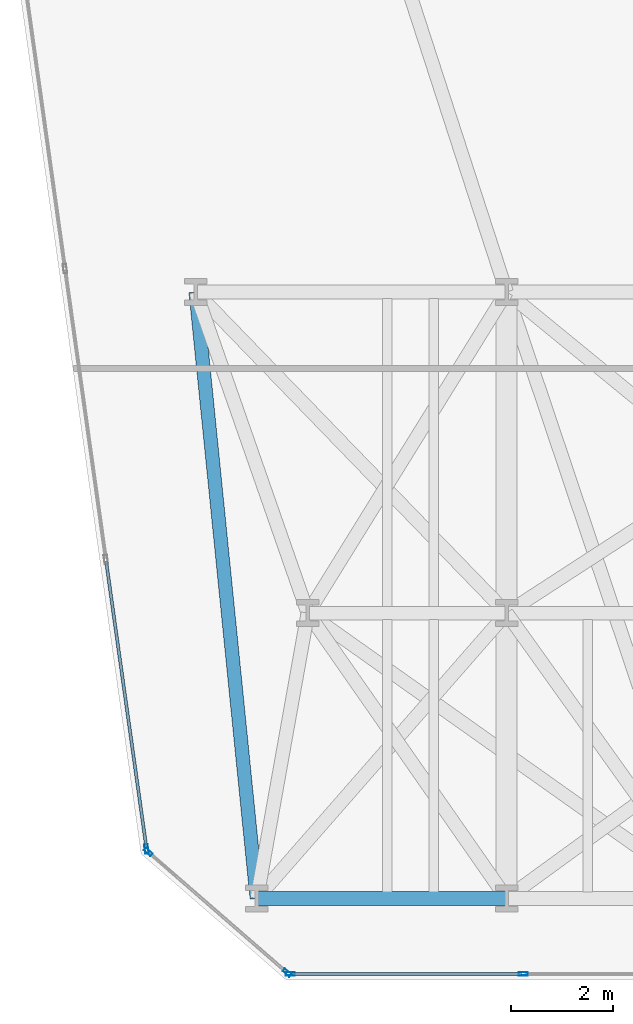
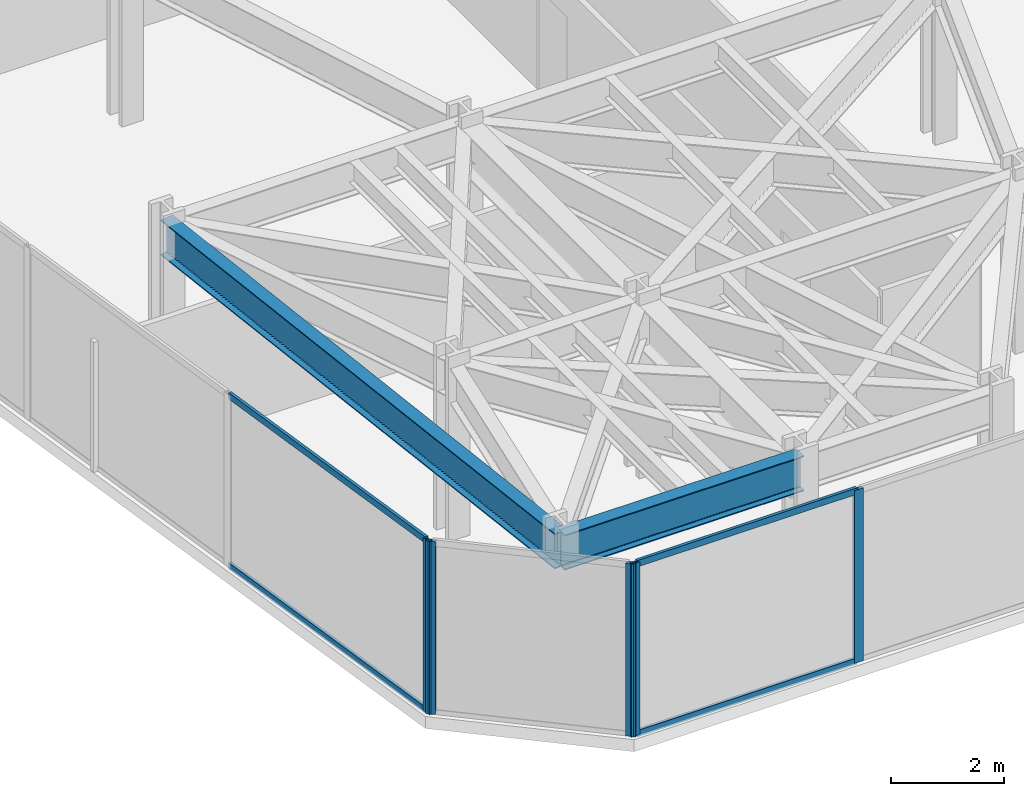
# One storey, part 2 of 25: 9 members, 2 beams, 3 elements without a shape of their own.
"""IFC4 building model written with IfcOpenShell, lengths in metres."""

from ifc_helpers import new_model, si_unit, direction, frame, origin, origin_2d, place, context, subcontext, project, spatial, hollow_rectangle, i_section, extrude, material, layer, layer_set, material_profile, profile_set, type_object, element, aggregate, save


model = new_model("IFC4")

# Units and contexts
model_context = context("Model", 3, precision=1e-05, world=origin(), true_north=direction((0.0, 1.0)))
body_context = subcontext(model_context, "Body", "Model", "MODEL_VIEW")
ifc_project = project(units=[si_unit("LENGTHUNIT", "METRE"), si_unit("AREAUNIT", "SQUARE_METRE"), si_unit("VOLUMEUNIT", "CUBIC_METRE"), si_unit("PLANEANGLEUNIT", "RADIAN"), si_unit("MASSUNIT", "GRAM", prefix="KILO")], contexts=[model_context])

# Site, building, storey
site_placement = place(None, origin())
site = spatial("IfcSite", under=ifc_project, at=site_placement, CompositionType="ELEMENT")
building_placement = place(site_placement, origin())
building = spatial("IfcBuilding", under=site, at=building_placement, Name="Kravanh Interchange Tower", CompositionType="ELEMENT")
storey_placement = place(building_placement, frame((0.0, 0.0, 41.5)))
storey = spatial("IfcBuildingStorey", under=building, at=storey_placement, Name="L09", CompositionType="ELEMENT", Elevation=41.5)

# Curtain wall, member
ifc_material_1 = material(Name="Anodised Bronze Aluminium", Category="aluminium")
ifc_layer = layer(ifc_material_1, 0.179931640625)
ifc_layer_set = layer_set([ifc_layer], Name="Unitised Curtain Wall System CW-Z1 Lower Office")
curtain_wall_type = type_object("IfcCurtainWallType", Name="Unitised Curtain Wall System CW-Z1 Lower Office", PredefinedType="NOTDEFINED", material=ifc_layer_set)
curtain_wall_1_placement = place(storey_placement, origin())
curtain_wall_1 = element("IfcCurtainWall", 1, at=curtain_wall_1_placement, inside=storey, type_object=curtain_wall_type, Name="L09 Unitised Curtain Wall CW-L09-01", PredefinedType="NOTDEFINED")
ifc_material_2 = material(Name="Anodised Bronze Aluminium", Category="aluminium")
ifc_material_profile_1 = material_profile(ifc_material_2, hollow_rectangle(XDim=0.070068359375, YDim=0.179931640625, WallThickness=0.00390625, at=origin_2d()), Name="ALU70X180X4")
ifc_profile_set_1 = profile_set([ifc_material_profile_1], Name="Anodised Bronze Aluminium")
member_type_1 = type_object("IfcMemberType", Name="Curtain Wall Mullion ALU70X180X4 Bronze", PredefinedType="MULLION", material=ifc_profile_set_1)
member_1_placement = place(storey_placement, frame((10.435546875, 3.571533203125, 0.0), z_axis=(0.0, 0.0, 1.0), x_axis=(-0.990267585682, -0.139176538065, 0.0)))
member_1 = element("IfcMember", 2, at=member_1_placement, type_object=member_type_1, Name="CW-Z1 mullion 1", PredefinedType="MULLION", context=body_context, shape_type="SweptSolid", body=[
    extrude(hollow_rectangle(XDim=0.070068359375, YDim=0.179931640625, WallThickness=0.00390625, at=origin_2d()), origin(), (0.0, 0.0, 1.0), 3.739990234375),
])

# Curtain wall, members
curtain_wall_2_placement = place(storey_placement, origin())
curtain_wall_2 = element("IfcCurtainWall", 3, at=curtain_wall_2_placement, inside=storey, type_object=curtain_wall_type, Name="L09 Unitised Curtain Wall CW-L09-06", PredefinedType="NOTDEFINED")
member_2_placement = place(storey_placement, frame((17.8271484375, 1.1201171875, 0.0), z_axis=(0.0, 0.0, 1.0), x_axis=(0.0, -1.0, 0.0)))
member_2 = element("IfcMember", 4, at=member_2_placement, type_object=member_type_1, Name="CW-Z1 mullion 2", PredefinedType="MULLION", context=body_context, shape_type="SweptSolid", body=[
    extrude(hollow_rectangle(XDim=0.070068359375, YDim=0.179931640625, WallThickness=0.00390625, at=origin_2d()), origin(), (0.0, 0.0, 1.0), 3.739990234375),
])
member_3_placement = place(storey_placement, frame((13.255615234375, 1.1201171875, 0.0), z_axis=(0.0, 0.0, 1.0), x_axis=(0.0, -1.0, 0.0)))
member_3 = element("IfcMember", 5, at=member_3_placement, type_object=member_type_1, Name="CW-Z1 mullion 3", PredefinedType="MULLION", context=body_context, shape_type="SweptSolid", body=[
    extrude(hollow_rectangle(XDim=0.070068359375, YDim=0.179931640625, WallThickness=0.00390625, at=origin_2d()), origin(), (0.0, 0.0, 1.0), 3.739990234375),
])

curtain_wall_3_placement = place(storey_placement, origin())
curtain_wall_3 = element("IfcCurtainWall", 6, at=curtain_wall_3_placement, inside=storey, type_object=curtain_wall_type, Name="L09 Unitised Curtain Wall CW-L09-07", PredefinedType="NOTDEFINED")
member_4_placement = place(storey_placement, frame((13.194091796875, 1.14306640625, 0.0), z_axis=(0.0, 0.0, 1.0), x_axis=(-0.656060422341, -0.754708368999, 0.0)))
member_4 = element("IfcMember", 7, at=member_4_placement, type_object=member_type_1, Name="CW-Z1 mullion 1", PredefinedType="MULLION", context=body_context, shape_type="SweptSolid", body=[
    extrude(hollow_rectangle(XDim=0.070068359375, YDim=0.179931640625, WallThickness=0.00390625, at=origin_2d()), origin(), (0.0, 0.0, 1.0), 3.739990234375),
])
member_5_placement = place(storey_placement, frame((10.466796875, 3.513916015625, 0.0), z_axis=(0.0, 0.0, 1.0), x_axis=(-0.656060422341, -0.754708368999, 0.0)))
member_5 = element("IfcMember", 8, at=member_5_placement, type_object=member_type_1, Name="CW-Z1 mullion 2", PredefinedType="MULLION", context=body_context, shape_type="SweptSolid", body=[
    extrude(hollow_rectangle(XDim=0.070068359375, YDim=0.179931640625, WallThickness=0.00390625, at=origin_2d()), origin(), (0.0, 0.0, 1.0), 3.739990234375),
])
aggregate(curtain_wall_3, [member_4, member_5])

# Member
ifc_material_3 = material(Name="Anodised Bronze Aluminium", Category="aluminium")
ifc_material_profile_2 = material_profile(ifc_material_3, hollow_rectangle(XDim=0.06005859375, YDim=0.139892578125, WallThickness=0.00390625, at=origin_2d()), Name="ALU60X140X4")
ifc_profile_set_2 = profile_set([ifc_material_profile_2], Name="Anodised Bronze Aluminium")
member_type_2 = type_object("IfcMemberType", Name="Curtain Wall Transom ALU60X140X4 Bronze", PredefinedType="USERDEFINED", material=ifc_profile_set_2)
member_6_placement = place(storey_placement, frame((10.4306640625, 3.606201171875, 0.030029296875), z_axis=(-0.139199330487, 0.990264382068, 0.0), x_axis=(-0.990264382068, -0.139199330487, 0.0)))
member_6 = element("IfcMember", 9, at=member_6_placement, type_object=member_type_2, Name="CW-Z1 transom 1.1", ObjectType="TRANSOM", PredefinedType="USERDEFINED", context=body_context, shape_type="SweptSolid", body=[
    extrude(hollow_rectangle(XDim=0.06005859375, YDim=0.139892578125, WallThickness=0.00390625, at=origin_2d()), origin(), (0.0, 0.0, 1.0), 5.66162109375),
])

member_7_placement = place(storey_placement, frame((10.4306640625, 3.606201171875, 3.7099609375), z_axis=(-0.139199330487, 0.990264382068, 0.0), x_axis=(-0.990264382068, -0.139199330487, 0.0)))
member_7 = element("IfcMember", 10, at=member_7_placement, type_object=member_type_2, Name="CW-Z1 transom 1.2", ObjectType="TRANSOM", PredefinedType="USERDEFINED", context=body_context, shape_type="SweptSolid", body=[
    extrude(hollow_rectangle(XDim=0.06005859375, YDim=0.139892578125, WallThickness=0.00390625, at=origin_2d()), origin(), (0.0, 0.0, 1.0), 5.66162109375),
])

aggregate(curtain_wall_1, [member_1, member_6, member_7])

member_8_placement = place(storey_placement, frame((17.792236328125, 1.1201171875, 0.030029296875), z_axis=(-1.0, 0.0, 0.0), x_axis=(0.0, -1.0, 0.0)))
member_8 = element("IfcMember", 11, at=member_8_placement, type_object=member_type_2, Name="CW-Z1 transom 2.1", ObjectType="TRANSOM", PredefinedType="USERDEFINED", context=body_context, shape_type="SweptSolid", body=[
    extrude(hollow_rectangle(XDim=0.06005859375, YDim=0.139892578125, WallThickness=0.00390625, at=origin_2d()), origin(), (0.0, 0.0, 1.0), 4.501708984375),
])

member_9_placement = place(storey_placement, frame((17.792236328125, 1.1201171875, 3.7099609375), z_axis=(-1.0, 0.0, 0.0), x_axis=(0.0, -1.0, 0.0)))
member_9 = element("IfcMember", 12, at=member_9_placement, type_object=member_type_2, Name="CW-Z1 transom 2.2", ObjectType="TRANSOM", PredefinedType="USERDEFINED", context=body_context, shape_type="SweptSolid", body=[
    extrude(hollow_rectangle(XDim=0.06005859375, YDim=0.139892578125, WallThickness=0.00390625, at=origin_2d()), origin(), (0.0, 0.0, 1.0), 4.501708984375),
])

aggregate(curtain_wall_2, [member_2, member_3, member_8, member_9])

# Beams
ifc_material_4 = material(Name="Structural Steel S355", Category="steel")
ifc_material_profile_3 = material_profile(ifc_material_4, i_section(OverallWidth=0.26708984375, OverallDepth=0.761962890625, WebThickness=0.014404296875, FlangeThickness=0.021484375, FilletRadius=0.02490234375, at=origin_2d()), Name="W30X116")
ifc_profile_set_3 = profile_set([ifc_material_profile_3], Name="Structural Steel S355")
beam_type = type_object("IfcBeamType", Name="Floor Spandrel W30X116 Structural Steel S355", PredefinedType="SPANDREL", material=ifc_profile_set_3)
beam_1_placement = place(storey_placement, frame((12.60009765625, 2.60009765625, 3.35888671875), z_axis=(1.0, 0.0, 0.0), x_axis=(0.0, 1.0, 0.0)))
element("IfcBeam", 13, at=beam_1_placement, inside=storey, type_object=beam_type, Name="L09 Perimeter Spandrel 38", PredefinedType="SPANDREL", context=body_context, shape_type="SweptSolid", body=[
    extrude(i_section(OverallWidth=0.26708984375, OverallDepth=0.761962890625, WebThickness=0.014404296875, FlangeThickness=0.021484375, FilletRadius=0.02490234375, at=origin_2d()), origin(), (0.0, 0.0, 1.0), 4.89990234375),
])
beam_2_placement = place(storey_placement, frame((12.60009765625, 2.60009765625, 3.35888671875), z_axis=(-0.100348483042, 0.994952351598, 0.0), x_axis=(-0.994952351598, -0.100348483042, 0.0)))
element("IfcBeam", 14, at=beam_2_placement, inside=storey, type_object=beam_type, Name="L09 Perimeter Spandrel 41", PredefinedType="SPANDREL", context=body_context, shape_type="SweptSolid", body=[
    extrude(i_section(OverallWidth=0.26708984375, OverallDepth=0.761962890625, WebThickness=0.014404296875, FlangeThickness=0.021484375, FilletRadius=0.02490234375, at=origin_2d()), origin(), (0.0, 0.0, 1.0), 11.960205078125),
])

save(model, "model.ifc")
